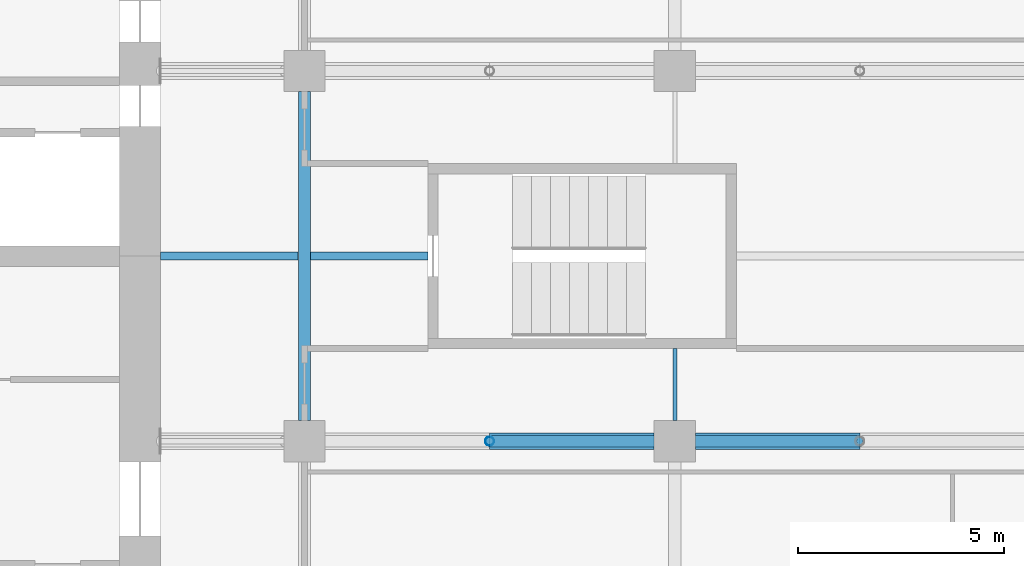
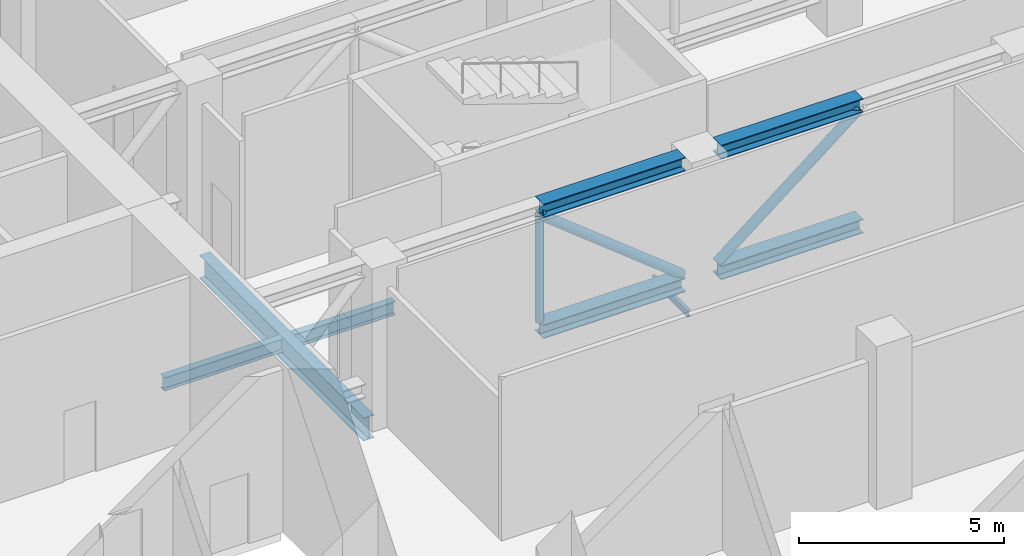
# One storey, part 5 of 23: 7 members, 4 beams.
"""IFC4 building model written with IfcOpenShell, lengths in metres."""

from ifc_helpers import new_model, si_unit, direction, frame, origin, origin_2d, place, context, subcontext, project, spatial, hollow_circle, i_section, extrude, material, material_profile, profile_set, type_object, element, save


model = new_model("IFC4")

# Units and contexts
model_context = context("Model", 3, precision=1e-05, world=origin(), true_north=direction((0.0, 1.0)))
body_context = subcontext(model_context, "Body", "Model", "MODEL_VIEW")
ifc_project = project(units=[si_unit("LENGTHUNIT", "METRE"), si_unit("AREAUNIT", "SQUARE_METRE"), si_unit("VOLUMEUNIT", "CUBIC_METRE"), si_unit("PLANEANGLEUNIT", "RADIAN"), si_unit("MASSUNIT", "GRAM", prefix="KILO")], contexts=[model_context])

# Site, building, storey
site_placement = place(None, origin())
site = spatial("IfcSite", under=ifc_project, at=site_placement, CompositionType="ELEMENT")
building_placement = place(site_placement, origin())
building = spatial("IfcBuilding", under=site, at=building_placement, Name="Cinnabar Reach Civic Tower", CompositionType="ELEMENT")
storey_placement = place(building_placement, frame((0.0, 0.0, 46.0)))
storey = spatial("IfcBuildingStorey", under=building, at=storey_placement, Name="L10", CompositionType="ELEMENT", Elevation=46.0)

# Members
ifc_material = material(Name="Steel Q355B", Category="steel")
ifc_material_profile_1 = material_profile(ifc_material, hollow_circle(Radius=0.1095, WallThickness=0.008, at=origin_2d()), Name="CHS219x8")
ifc_profile_set_1 = profile_set([ifc_material_profile_1], Name="Steel Q355B")
member_type_1 = type_object("IfcMemberType", Name="CHS219x8 post R 240", PredefinedType="POST", material=ifc_profile_set_1)
member_placement = place(storey_placement, frame((31.5, 27.0, 1.264), z_axis=(0.0, 0.0, 1.0), x_axis=(1.0, 0.0, 0.0)))
element("IfcMember", 1, at=member_placement, inside=storey, type_object=member_type_1, Name="Outrigger truss post T1-L10-TR-E27", PredefinedType="POST", context=body_context, shape_type="SweptSolid", body=[
    extrude(hollow_circle(Radius=0.1095, WallThickness=0.008, at=origin_2d()), origin(), (0.0, 0.0, 1.0), 3.172),
])
ifc_material_profile_2 = material_profile(ifc_material, hollow_circle(Radius=0.1365, WallThickness=0.01, at=origin_2d()), Name="CHS273x10")
ifc_profile_set_2 = profile_set([ifc_material_profile_2], Name="Steel Q355B")
member_type_2 = type_object("IfcMemberType", Name="CHS273x10 brace R 240", PredefinedType="BRACE", material=ifc_profile_set_2)
for number, where, z_axis, x_axis, name in (
    (2, (31.5, 27.0, 4.436), (0.783385820747, 0.0, -0.621535723714), (0.0, 1.0, 0.0), "Outrigger truss diagonal T1-L10-TR-E27"),
    (3, (36.502, 27.0, 1.264), (0.783385820747, 0.0, 0.621535723714), (0.0, 1.0, 0.0), "Outrigger truss diagonal T1-L10-TR-E27"),
):
    element("IfcMember", number, at=place(storey_placement, frame(where, z_axis=z_axis, x_axis=x_axis)), inside=storey, type_object=member_type_2, Name=name, PredefinedType="BRACE", context=body_context, shape_type="SweptSolid", body=[
        extrude(hollow_circle(Radius=0.1365, WallThickness=0.01, at=origin_2d()), origin(), (0.0, 0.0, 1.0), 5.1035),
    ])

# Beams
ifc_material_profile_3 = material_profile(ifc_material, i_section(OverallWidth=0.099, OverallDepth=0.198, WebThickness=0.0045, FlangeThickness=0.007, FilletRadius=0.013, at=origin_2d()), Name="HN200x100x5.5x8")
ifc_profile_set_3 = profile_set([ifc_material_profile_3], Name="Steel Q355B")
beam_type_1 = type_object("IfcBeamType", Name="HN200x100x5.5x8 beam R 180", PredefinedType="BEAM", material=ifc_profile_set_3)
beam_1_placement = place(storey_placement, frame((36.0, 27.502, -0.399), z_axis=(0.0, 1.0, 0.0), x_axis=(-1.0, 0.0, 0.0)))
element("IfcBeam", 4, at=beam_1_placement, inside=storey, type_object=beam_type_1, Name="Girder T1 L10 15", PredefinedType="BEAM", context=body_context, shape_type="SweptSolid", body=[
    extrude(i_section(OverallWidth=0.099, OverallDepth=0.198, WebThickness=0.0045, FlangeThickness=0.007, FilletRadius=0.013, at=origin_2d()), origin(), (0.0, 0.0, 1.0), 1.746),
])
ifc_material_profile_4 = material_profile(ifc_material, i_section(OverallWidth=0.2, OverallDepth=0.4, WebThickness=0.008, FlangeThickness=0.013, FilletRadius=0.016, at=origin_2d()), Name="HN400x200x8x13")
ifc_profile_set_4 = profile_set([ifc_material_profile_4], Name="Steel Q355B")
beam_type_2 = type_object("IfcBeamType", Name="HN400x200x8x13 beam R 180", PredefinedType="BEAM", material=ifc_profile_set_4)
beam_2_placement = place(storey_placement, frame((23.502, 31.5, -0.5), z_axis=(1.0, 0.0, 0.0), x_axis=(0.0, 1.0, 0.0)))
element("IfcBeam", 5, at=beam_2_placement, inside=storey, type_object=beam_type_2, Name="Secondary beam T1 L10 20", PredefinedType="BEAM", context=body_context, shape_type="SweptSolid", body=[
    extrude(i_section(OverallWidth=0.2, OverallDepth=0.4, WebThickness=0.008, FlangeThickness=0.013, FilletRadius=0.016, at=origin_2d()), origin(), (0.0, 0.0, 1.0), 3.346),
])
beam_3_placement = place(storey_placement, frame((27.152, 31.5, -0.5), z_axis=(1.0, 0.0, 0.0), x_axis=(0.0, 1.0, 0.0)))
element("IfcBeam", 6, at=beam_3_placement, inside=storey, type_object=beam_type_2, Name="Secondary beam T1 L10 21", PredefinedType="BEAM", context=body_context, shape_type="SweptSolid", body=[
    extrude(i_section(OverallWidth=0.2, OverallDepth=0.4, WebThickness=0.008, FlangeThickness=0.013, FilletRadius=0.016, at=origin_2d()), origin(), (0.0, 0.0, 1.0), 2.846),
])
ifc_material_profile_5 = material_profile(ifc_material, i_section(OverallWidth=0.3, OverallDepth=0.692, WebThickness=0.013, FlangeThickness=0.02, FilletRadius=0.016, at=origin_2d()), Name="HN692x300x13x20")
ifc_profile_set_5 = profile_set([ifc_material_profile_5], Name="Steel Q355B")
beam_type_3 = type_object("IfcBeamType", Name="HN692x300x13x20 beam R 180", PredefinedType="BEAM", material=ifc_profile_set_5)
beam_4_placement = place(storey_placement, frame((27.0, 27.502, -0.646), z_axis=(0.0, 1.0, 0.0), x_axis=(-1.0, 0.0, 0.0)))
element("IfcBeam", 7, at=beam_4_placement, inside=storey, type_object=beam_type_3, Name="Girder T1 L10 10", PredefinedType="BEAM", context=body_context, shape_type="SweptSolid", body=[
    extrude(i_section(OverallWidth=0.3, OverallDepth=0.692, WebThickness=0.013, FlangeThickness=0.02, FilletRadius=0.016, at=origin_2d()), origin(), (0.0, 0.0, 1.0), 7.996),
])

# Members
ifc_material_profile_6 = material_profile(ifc_material, i_section(OverallWidth=0.405, OverallDepth=0.414, WebThickness=0.018, FlangeThickness=0.028, FilletRadius=0.016, at=origin_2d()), Name="HW414x405x18x28")
ifc_profile_set_6 = profile_set([ifc_material_profile_6], Name="Steel Q355B")
member_type_3 = type_object("IfcMemberType", Name="HW414x405x18x28 chord R 240", PredefinedType="CHORD", material=ifc_profile_set_6)
for number, where, z_axis, x_axis, name in (
    (8, (31.5, 27.0, 4.643), (1.0, 0.0, 0.0), (0.0, 1.0, 0.0), "Outrigger truss chord T1-L10-TR-E27"),
    (9, (31.5, 27.0, 1.057), (1.0, 0.0, 0.0), (0.0, 1.0, 0.0), "Outrigger truss chord T1-L10-TR-E27"),
    (10, (36.502, 27.0, 4.643), (1.0, 0.0, 0.0), (0.0, 1.0, 0.0), "Outrigger truss chord T1-L10-TR-E27"),
    (11, (36.502, 27.0, 1.057), (1.0, 0.0, 0.0), (0.0, 1.0, 0.0), "Outrigger truss chord T1-L10-TR-E27"),
):
    element("IfcMember", number, at=place(storey_placement, frame(where, z_axis=z_axis, x_axis=x_axis)), inside=storey, type_object=member_type_3, Name=name, PredefinedType="CHORD", context=body_context, shape_type="SweptSolid", body=[
        extrude(i_section(OverallWidth=0.405, OverallDepth=0.414, WebThickness=0.018, FlangeThickness=0.028, FilletRadius=0.016, at=origin_2d()), origin(), (0.0, 0.0, 1.0), 3.998),
    ])

save(model, "model.ifc")
